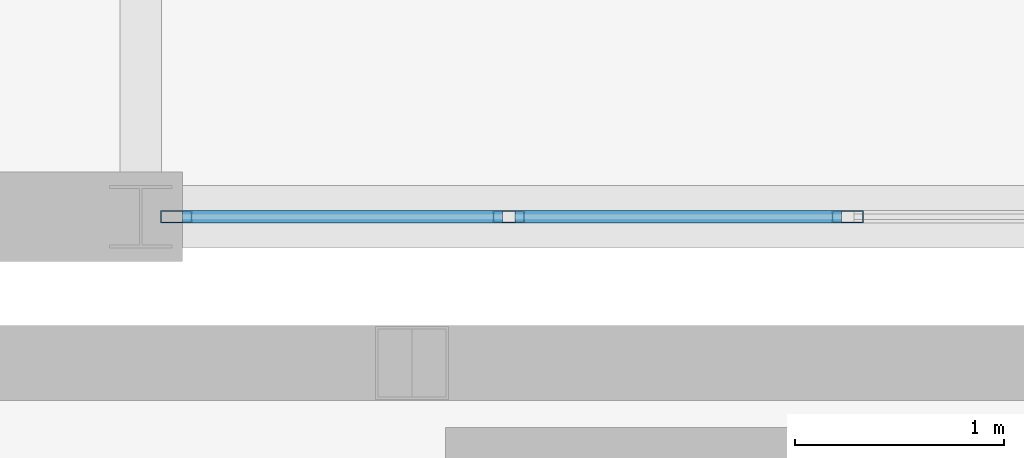
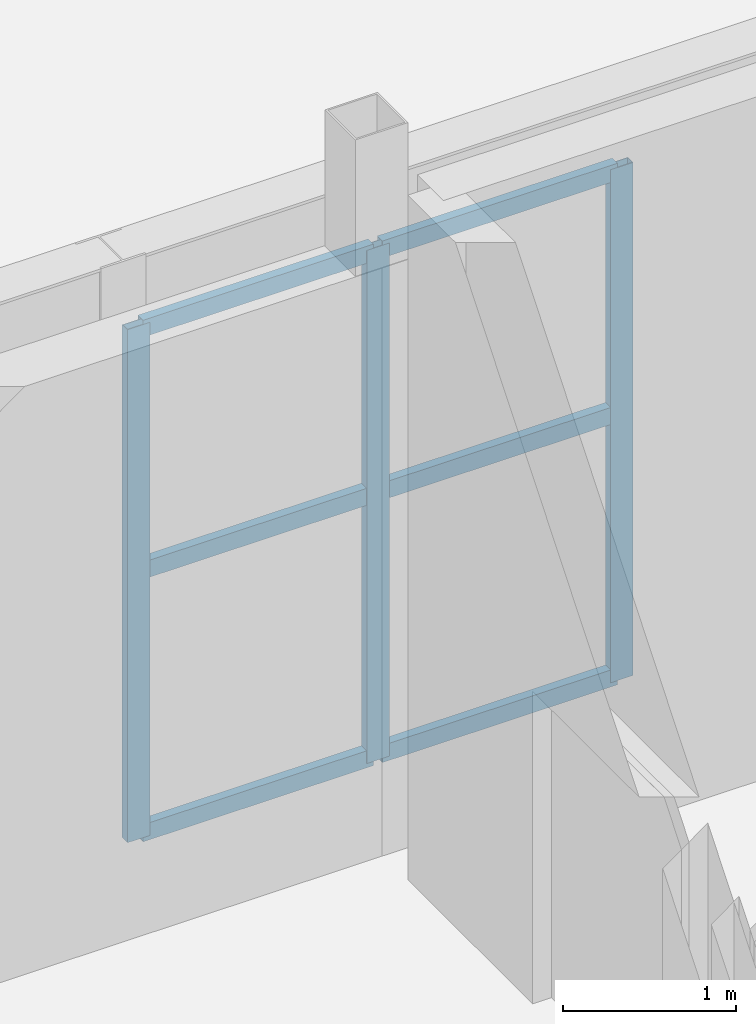
# One storey, part 150 of 218: 9 members, 1 element without a shape of its own.
"""IFC4 building model written with IfcOpenShell, lengths in metres."""

from ifc_helpers import new_model, si_unit, direction, frame, origin, origin_2d, place, context, subcontext, project, spatial, hollow_rectangle, extrude, material, material_profile, profile_set, type_object, element, aggregate, save


model = new_model("IFC4")

# Units and contexts
model_context = context("Model", 3, precision=1e-05, world=origin(), true_north=direction((0.0, 1.0)))
body_context = subcontext(model_context, "Body", "Model", "MODEL_VIEW")
ifc_project = project(units=[si_unit("LENGTHUNIT", "METRE"), si_unit("AREAUNIT", "SQUARE_METRE"), si_unit("VOLUMEUNIT", "CUBIC_METRE"), si_unit("PLANEANGLEUNIT", "RADIAN"), si_unit("MASSUNIT", "GRAM", prefix="KILO")], contexts=[model_context])

# Site, building, storey
site_placement = place(None, origin())
site = spatial("IfcSite", under=ifc_project, at=site_placement, CompositionType="ELEMENT")
building_placement = place(site_placement, origin())
building = spatial("IfcBuilding", under=site, at=building_placement, Name="Kazenagashi Tramway Depot", CompositionType="ELEMENT")
storey_placement = place(building_placement, frame((0.0, 0.0, 6.0)))
storey = spatial("IfcBuildingStorey", under=building, at=storey_placement, Name="L02", CompositionType="ELEMENT", Elevation=6.0)

# Curtain wall, members
ifc_material_1 = material(Name="Anodised Aluminium and Low-E Glazing", Category="aluminium")
curtain_wall_type = type_object("IfcCurtainWallType", Name="CW-11", PredefinedType="USERDEFINED", material=ifc_material_1)
curtain_wall_placement = place(storey_placement, origin())
curtain_wall = element("IfcCurtainWall", 1, at=curtain_wall_placement, inside=storey, type_object=curtain_wall_type, Name="Industrial Glazed Screen CW-11 CW-0055", ObjectType="GLAZED SCREEN", PredefinedType="USERDEFINED")
ifc_material_2 = material(Name="Anodised Aluminium", Category="aluminium")
ifc_material_profile_1 = material_profile(ifc_material_2, hollow_rectangle(XDim=0.06, YDim=0.15, WallThickness=0.004, at=origin_2d()), Name="RHS-150x60x4")
ifc_profile_set_1 = profile_set([ifc_material_profile_1], Name="Anodised Aluminium")
member_type_1 = type_object("IfcMemberType", Name="ML-01", PredefinedType="MULLION", material=ifc_profile_set_1)
member_1_placement = place(storey_placement, frame((187.77, 70.0, 0.0), z_axis=(0.0, 0.0, 1.0), x_axis=(0.0, 1.0, 0.0)))
member_1 = element("IfcMember", 2, at=member_1_placement, type_object=member_type_1, Name="CW-11 mullion 1", PredefinedType="MULLION", context=body_context, shape_type="SweptSolid", body=[
    extrude(hollow_rectangle(XDim=0.06, YDim=0.15, WallThickness=0.004, at=origin_2d()), origin(), (0.0, 0.0, 1.0), 3.612),
])
member_2_placement = place(storey_placement, frame((189.364, 70.0, 0.0), z_axis=(0.0, 0.0, 1.0), x_axis=(0.0, 1.0, 0.0)))
member_2 = element("IfcMember", 3, at=member_2_placement, type_object=member_type_1, Name="CW-11 mullion 2", PredefinedType="MULLION", context=body_context, shape_type="SweptSolid", body=[
    extrude(hollow_rectangle(XDim=0.06, YDim=0.15, WallThickness=0.004, at=origin_2d()), origin(), (0.0, 0.0, 1.0), 3.612),
])
member_3_placement = place(storey_placement, frame((190.988, 70.0, 0.0), z_axis=(0.0, 0.0, 1.0), x_axis=(0.0, 1.0, 0.0)))
member_3 = element("IfcMember", 4, at=member_3_placement, type_object=member_type_1, Name="CW-11 mullion 3", PredefinedType="MULLION", context=body_context, shape_type="SweptSolid", body=[
    extrude(hollow_rectangle(XDim=0.06, YDim=0.15, WallThickness=0.004, at=origin_2d()), origin(), (0.0, 0.0, 1.0), 3.612),
])
ifc_material_profile_2 = material_profile(ifc_material_2, hollow_rectangle(XDim=0.06, YDim=0.12, WallThickness=0.004, at=origin_2d()), Name="RHS-120x60x4")
ifc_profile_set_2 = profile_set([ifc_material_profile_2], Name="Anodised Aluminium")
member_type_2 = type_object("IfcMemberType", Name="TR-01", PredefinedType="USERDEFINED", material=ifc_profile_set_2)
member_4_placement = place(storey_placement, frame((187.8, 70.0, 0.03), z_axis=(1.0, 0.0, 0.0), x_axis=(0.0, 1.0, 0.0)))
member_4 = element("IfcMember", 5, at=member_4_placement, type_object=member_type_2, Name="CW-11 transom 1.1", ObjectType="TRANSOM", PredefinedType="USERDEFINED", context=body_context, shape_type="SweptSolid", body=[
    extrude(hollow_rectangle(XDim=0.06, YDim=0.12, WallThickness=0.004, at=origin_2d()), origin(), (0.0, 0.0, 1.0), 1.534),
])
member_5_placement = place(storey_placement, frame((187.8, 70.0, 1.878), z_axis=(1.0, 0.0, 0.0), x_axis=(0.0, 1.0, 0.0)))
member_5 = element("IfcMember", 6, at=member_5_placement, type_object=member_type_2, Name="CW-11 transom 1.2", ObjectType="TRANSOM", PredefinedType="USERDEFINED", context=body_context, shape_type="SweptSolid", body=[
    extrude(hollow_rectangle(XDim=0.06, YDim=0.12, WallThickness=0.004, at=origin_2d()), origin(), (0.0, 0.0, 1.0), 1.534),
])
member_6_placement = place(storey_placement, frame((187.8, 70.0, 3.582), z_axis=(1.0, 0.0, 0.0), x_axis=(0.0, 1.0, 0.0)))
member_6 = element("IfcMember", 7, at=member_6_placement, type_object=member_type_2, Name="CW-11 transom 1.3", ObjectType="TRANSOM", PredefinedType="USERDEFINED", context=body_context, shape_type="SweptSolid", body=[
    extrude(hollow_rectangle(XDim=0.06, YDim=0.12, WallThickness=0.004, at=origin_2d()), origin(), (0.0, 0.0, 1.0), 1.534),
])
member_7_placement = place(storey_placement, frame((189.394, 70.0, 0.03), z_axis=(1.0, 0.0, 0.0), x_axis=(0.0, 1.0, 0.0)))
member_7 = element("IfcMember", 8, at=member_7_placement, type_object=member_type_2, Name="CW-11 transom 2.1", ObjectType="TRANSOM", PredefinedType="USERDEFINED", context=body_context, shape_type="SweptSolid", body=[
    extrude(hollow_rectangle(XDim=0.06, YDim=0.12, WallThickness=0.004, at=origin_2d()), origin(), (0.0, 0.0, 1.0), 1.564),
])
member_8_placement = place(storey_placement, frame((189.394, 70.0, 1.878), z_axis=(1.0, 0.0, 0.0), x_axis=(0.0, 1.0, 0.0)))
member_8 = element("IfcMember", 9, at=member_8_placement, type_object=member_type_2, Name="CW-11 transom 2.2", ObjectType="TRANSOM", PredefinedType="USERDEFINED", context=body_context, shape_type="SweptSolid", body=[
    extrude(hollow_rectangle(XDim=0.06, YDim=0.12, WallThickness=0.004, at=origin_2d()), origin(), (0.0, 0.0, 1.0), 1.564),
])
member_9_placement = place(storey_placement, frame((189.394, 70.0, 3.582), z_axis=(1.0, 0.0, 0.0), x_axis=(0.0, 1.0, 0.0)))
member_9 = element("IfcMember", 10, at=member_9_placement, type_object=member_type_2, Name="CW-11 transom 2.3", ObjectType="TRANSOM", PredefinedType="USERDEFINED", context=body_context, shape_type="SweptSolid", body=[
    extrude(hollow_rectangle(XDim=0.06, YDim=0.12, WallThickness=0.004, at=origin_2d()), origin(), (0.0, 0.0, 1.0), 1.564),
])
aggregate(curtain_wall, [member_1, member_2, member_3, member_4, member_5, member_6, member_7, member_8, member_9])

save(model, "model.ifc")
